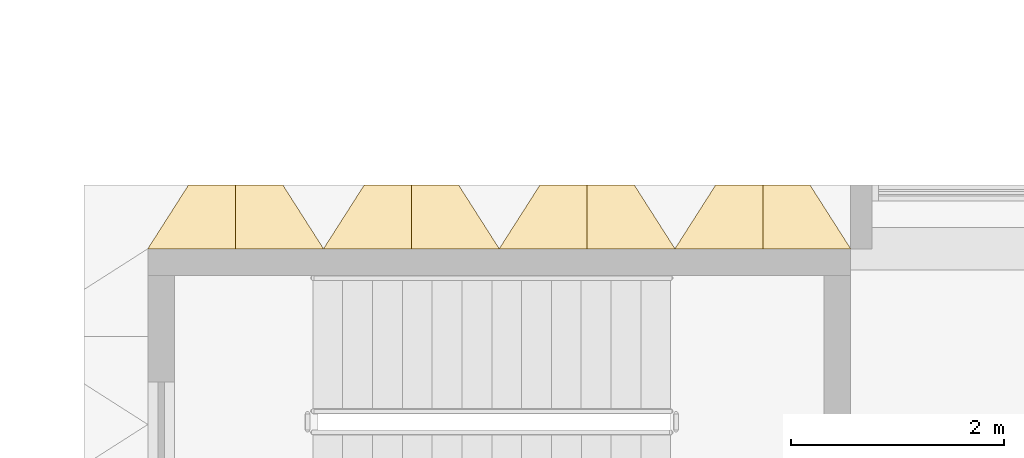
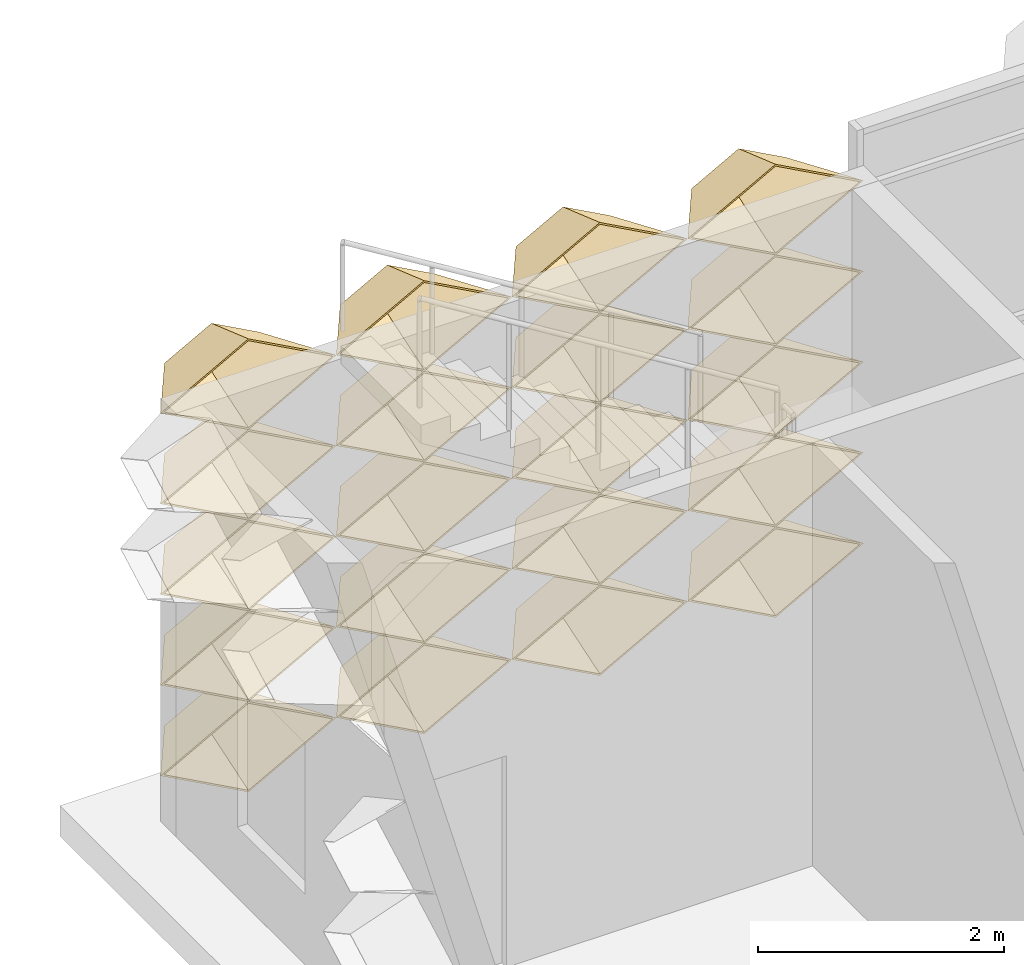
# One storey, part 71 of 109: 20 coverings.
"""IFC4 building model written with IfcOpenShell, lengths in metres."""

from ifc_helpers import new_model, entity, si_unit, direction, frame, origin, place, context, subcontext, project, spatial, material, layer, layer_set, type_object, element, save


model = new_model("IFC4")

# Units and contexts
model_context = context("Model", 3, precision=1e-05, world=origin(), true_north=direction((0.0, 1.0)))
body_context = subcontext(model_context, "Body", "Model", "MODEL_VIEW")
ifc_project = project(units=[si_unit("LENGTHUNIT", "METRE"), si_unit("AREAUNIT", "SQUARE_METRE"), si_unit("VOLUMEUNIT", "CUBIC_METRE"), si_unit("PLANEANGLEUNIT", "RADIAN"), si_unit("MASSUNIT", "GRAM", prefix="KILO")], contexts=[model_context])

# Site, building, storey
site_placement = place(None, origin())
site = spatial("IfcSite", under=ifc_project, at=site_placement, CompositionType="ELEMENT")
building_placement = place(site_placement, origin())
building = spatial("IfcBuilding", under=site, at=building_placement, Name="Lantern Court Research Institute", CompositionType="ELEMENT")
storey_placement = place(building_placement, frame((0.0, 0.0, 14.39990234375)))
storey = spatial("IfcBuildingStorey", under=building, at=storey_placement, Name="L03", CompositionType="ELEMENT", Elevation=14.39990234375)

# Coverings
ifc_material = material(Name="Anodised aluminium", Category="aluminium")
ifc_layer = layer(ifc_material, 0.01611328125)
ifc_layer_set = layer_set([ifc_layer], Name="Anodised aluminium")
covering_type = type_object("IfcCoveringType", Name="Fin cassette 1650 x 900 x 600 aluminium", PredefinedType="CLADDING", material=ifc_layer_set)
covering_1_placement = place(storey_placement, frame((0.824951171875, 23.10009765625, 0.4501953125), z_axis=(0.0, 1.0, 0.0), x_axis=(-1.0, 0.0, 0.0)))
cartesian_point_1 = entity("IfcCartesianPoint", [0.824951171875, 0.0])
cartesian_point_2 = entity("IfcCartesianPoint", [0.79150390625, 0.0])
cartesian_point_3 = entity("IfcCartesianPoint", [0.44189453125, 0.0])
cartesian_point_4 = entity("IfcCartesianPoint", [0.43359375, 0.0])
element("IfcCovering", 1, at=covering_1_placement, inside=storey, type_object=covering_type, Name="Fin cassette V4N-L03 1.1", PredefinedType="CLADDING", context=body_context, shape_type="SweptSolid", body=[
    entity("IfcExtrudedAreaSolidTapered", entity("IfcArbitraryProfileDefWithVoids", "AREA", None, entity("IfcPolyline", [cartesian_point_1, entity("IfcCartesianPoint", [0.0, 0.449951171875]), entity("IfcCartesianPoint", [-0.824951171875, 0.0]), entity("IfcCartesianPoint", [0.0, -0.449951171875]), cartesian_point_1]), [entity("IfcPolyline", [cartesian_point_2, entity("IfcCartesianPoint", [0.0, 0.431884765625]), entity("IfcCartesianPoint", [-0.79150390625, 0.0]), entity("IfcCartesianPoint", [0.0, -0.431884765625]), cartesian_point_2])]), entity("IfcAxis2Placement3D", entity("IfcCartesianPoint", [0.0, 0.0, 0.0])), entity("IfcDirection", [0.0, 0.0, 1.0]), 0.60009765625, entity("IfcArbitraryProfileDefWithVoids", "AREA", None, entity("IfcPolyline", [cartesian_point_3, entity("IfcCartesianPoint", [0.0, 0.240966796875]), entity("IfcCartesianPoint", [-0.44189453125, 0.0]), entity("IfcCartesianPoint", [0.0, -0.240966796875]), cartesian_point_3]), [entity("IfcPolyline", [cartesian_point_4, entity("IfcCartesianPoint", [0.0, 0.236572265625]), entity("IfcCartesianPoint", [-0.43359375, 0.0]), entity("IfcCartesianPoint", [0.0, -0.236572265625]), cartesian_point_4])])),
])
covering_2_placement = place(storey_placement, frame((2.47509765625, 23.10009765625, 0.4501953125), z_axis=(0.0, 1.0, 0.0), x_axis=(-1.0, 0.0, 0.0)))
cartesian_point_5 = entity("IfcCartesianPoint", [0.824951171875, 0.0])
cartesian_point_6 = entity("IfcCartesianPoint", [0.79150390625, 0.0])
cartesian_point_7 = entity("IfcCartesianPoint", [0.44189453125, 0.0])
cartesian_point_8 = entity("IfcCartesianPoint", [0.43359375, 0.0])
element("IfcCovering", 2, at=covering_2_placement, inside=storey, type_object=covering_type, Name="Fin cassette V4N-L03 1.2", PredefinedType="CLADDING", context=body_context, shape_type="SweptSolid", body=[
    entity("IfcExtrudedAreaSolidTapered", entity("IfcArbitraryProfileDefWithVoids", "AREA", None, entity("IfcPolyline", [cartesian_point_5, entity("IfcCartesianPoint", [0.0, 0.449951171875]), entity("IfcCartesianPoint", [-0.824951171875, 0.0]), entity("IfcCartesianPoint", [0.0, -0.449951171875]), cartesian_point_5]), [entity("IfcPolyline", [cartesian_point_6, entity("IfcCartesianPoint", [0.0, 0.431884765625]), entity("IfcCartesianPoint", [-0.79150390625, 0.0]), entity("IfcCartesianPoint", [0.0, -0.431884765625]), cartesian_point_6])]), entity("IfcAxis2Placement3D", entity("IfcCartesianPoint", [0.0, 0.0, 0.0])), entity("IfcDirection", [0.0, 0.0, 1.0]), 0.60009765625, entity("IfcArbitraryProfileDefWithVoids", "AREA", None, entity("IfcPolyline", [cartesian_point_7, entity("IfcCartesianPoint", [0.0, 0.240966796875]), entity("IfcCartesianPoint", [-0.44189453125, 0.0]), entity("IfcCartesianPoint", [0.0, -0.240966796875]), cartesian_point_7]), [entity("IfcPolyline", [cartesian_point_8, entity("IfcCartesianPoint", [0.0, 0.236572265625]), entity("IfcCartesianPoint", [-0.43359375, 0.0]), entity("IfcCartesianPoint", [0.0, -0.236572265625]), cartesian_point_8])])),
])
covering_3_placement = place(storey_placement, frame((4.125, 23.10009765625, 0.4501953125), z_axis=(0.0, 1.0, 0.0), x_axis=(-1.0, 0.0, 0.0)))
cartesian_point_9 = entity("IfcCartesianPoint", [0.824951171875, 0.0])
cartesian_point_10 = entity("IfcCartesianPoint", [0.79150390625, 0.0])
cartesian_point_11 = entity("IfcCartesianPoint", [0.44189453125, 0.0])
cartesian_point_12 = entity("IfcCartesianPoint", [0.43359375, 0.0])
element("IfcCovering", 3, at=covering_3_placement, inside=storey, type_object=covering_type, Name="Fin cassette V4N-L03 1.3", PredefinedType="CLADDING", context=body_context, shape_type="SweptSolid", body=[
    entity("IfcExtrudedAreaSolidTapered", entity("IfcArbitraryProfileDefWithVoids", "AREA", None, entity("IfcPolyline", [cartesian_point_9, entity("IfcCartesianPoint", [0.0, 0.449951171875]), entity("IfcCartesianPoint", [-0.824951171875, 0.0]), entity("IfcCartesianPoint", [0.0, -0.449951171875]), cartesian_point_9]), [entity("IfcPolyline", [cartesian_point_10, entity("IfcCartesianPoint", [0.0, 0.431884765625]), entity("IfcCartesianPoint", [-0.79150390625, 0.0]), entity("IfcCartesianPoint", [0.0, -0.431884765625]), cartesian_point_10])]), entity("IfcAxis2Placement3D", entity("IfcCartesianPoint", [0.0, 0.0, 0.0])), entity("IfcDirection", [0.0, 0.0, 1.0]), 0.60009765625, entity("IfcArbitraryProfileDefWithVoids", "AREA", None, entity("IfcPolyline", [cartesian_point_11, entity("IfcCartesianPoint", [0.0, 0.240966796875]), entity("IfcCartesianPoint", [-0.44189453125, 0.0]), entity("IfcCartesianPoint", [0.0, -0.240966796875]), cartesian_point_11]), [entity("IfcPolyline", [cartesian_point_12, entity("IfcCartesianPoint", [0.0, 0.236572265625]), entity("IfcCartesianPoint", [-0.43359375, 0.0]), entity("IfcCartesianPoint", [0.0, -0.236572265625]), cartesian_point_12])])),
])
covering_4_placement = place(storey_placement, frame((5.77490234375, 23.10009765625, 0.4501953125), z_axis=(0.0, 1.0, 0.0), x_axis=(-1.0, 0.0, 0.0)))
cartesian_point_13 = entity("IfcCartesianPoint", [0.824951171875, 0.0])
cartesian_point_14 = entity("IfcCartesianPoint", [0.79150390625, 0.0])
cartesian_point_15 = entity("IfcCartesianPoint", [0.44189453125, 0.0])
cartesian_point_16 = entity("IfcCartesianPoint", [0.43359375, 0.0])
element("IfcCovering", 4, at=covering_4_placement, inside=storey, type_object=covering_type, Name="Fin cassette V4N-L03 1.4", PredefinedType="CLADDING", context=body_context, shape_type="SweptSolid", body=[
    entity("IfcExtrudedAreaSolidTapered", entity("IfcArbitraryProfileDefWithVoids", "AREA", None, entity("IfcPolyline", [cartesian_point_13, entity("IfcCartesianPoint", [0.0, 0.449951171875]), entity("IfcCartesianPoint", [-0.824951171875, 0.0]), entity("IfcCartesianPoint", [0.0, -0.449951171875]), cartesian_point_13]), [entity("IfcPolyline", [cartesian_point_14, entity("IfcCartesianPoint", [0.0, 0.431884765625]), entity("IfcCartesianPoint", [-0.79150390625, 0.0]), entity("IfcCartesianPoint", [0.0, -0.431884765625]), cartesian_point_14])]), entity("IfcAxis2Placement3D", entity("IfcCartesianPoint", [0.0, 0.0, 0.0])), entity("IfcDirection", [0.0, 0.0, 1.0]), 0.60009765625, entity("IfcArbitraryProfileDefWithVoids", "AREA", None, entity("IfcPolyline", [cartesian_point_15, entity("IfcCartesianPoint", [0.0, 0.240966796875]), entity("IfcCartesianPoint", [-0.44189453125, 0.0]), entity("IfcCartesianPoint", [0.0, -0.240966796875]), cartesian_point_15]), [entity("IfcPolyline", [cartesian_point_16, entity("IfcCartesianPoint", [0.0, 0.236572265625]), entity("IfcCartesianPoint", [-0.43359375, 0.0]), entity("IfcCartesianPoint", [0.0, -0.236572265625]), cartesian_point_16])])),
])
covering_5_placement = place(storey_placement, frame((0.824951171875, 23.10009765625, 1.35009765625), z_axis=(0.0, 1.0, 0.0), x_axis=(-1.0, 0.0, 0.0)))
cartesian_point_17 = entity("IfcCartesianPoint", [0.824951171875, 0.0])
cartesian_point_18 = entity("IfcCartesianPoint", [0.79150390625, 0.0])
cartesian_point_19 = entity("IfcCartesianPoint", [0.44189453125, 0.0])
cartesian_point_20 = entity("IfcCartesianPoint", [0.43359375, 0.0])
element("IfcCovering", 5, at=covering_5_placement, inside=storey, type_object=covering_type, Name="Fin cassette V4N-L03 2.1", PredefinedType="CLADDING", context=body_context, shape_type="SweptSolid", body=[
    entity("IfcExtrudedAreaSolidTapered", entity("IfcArbitraryProfileDefWithVoids", "AREA", None, entity("IfcPolyline", [cartesian_point_17, entity("IfcCartesianPoint", [0.0, 0.449951171875]), entity("IfcCartesianPoint", [-0.824951171875, 0.0]), entity("IfcCartesianPoint", [0.0, -0.449951171875]), cartesian_point_17]), [entity("IfcPolyline", [cartesian_point_18, entity("IfcCartesianPoint", [0.0, 0.431884765625]), entity("IfcCartesianPoint", [-0.79150390625, 0.0]), entity("IfcCartesianPoint", [0.0, -0.431884765625]), cartesian_point_18])]), entity("IfcAxis2Placement3D", entity("IfcCartesianPoint", [0.0, 0.0, 0.0])), entity("IfcDirection", [0.0, 0.0, 1.0]), 0.60009765625, entity("IfcArbitraryProfileDefWithVoids", "AREA", None, entity("IfcPolyline", [cartesian_point_19, entity("IfcCartesianPoint", [0.0, 0.240966796875]), entity("IfcCartesianPoint", [-0.44189453125, 0.0]), entity("IfcCartesianPoint", [0.0, -0.240966796875]), cartesian_point_19]), [entity("IfcPolyline", [cartesian_point_20, entity("IfcCartesianPoint", [0.0, 0.236572265625]), entity("IfcCartesianPoint", [-0.43359375, 0.0]), entity("IfcCartesianPoint", [0.0, -0.236572265625]), cartesian_point_20])])),
])
covering_6_placement = place(storey_placement, frame((2.47509765625, 23.10009765625, 1.35009765625), z_axis=(0.0, 1.0, 0.0), x_axis=(-1.0, 0.0, 0.0)))
cartesian_point_21 = entity("IfcCartesianPoint", [0.824951171875, 0.0])
cartesian_point_22 = entity("IfcCartesianPoint", [0.79150390625, 0.0])
cartesian_point_23 = entity("IfcCartesianPoint", [0.44189453125, 0.0])
cartesian_point_24 = entity("IfcCartesianPoint", [0.43359375, 0.0])
element("IfcCovering", 6, at=covering_6_placement, inside=storey, type_object=covering_type, Name="Fin cassette V4N-L03 2.2", PredefinedType="CLADDING", context=body_context, shape_type="SweptSolid", body=[
    entity("IfcExtrudedAreaSolidTapered", entity("IfcArbitraryProfileDefWithVoids", "AREA", None, entity("IfcPolyline", [cartesian_point_21, entity("IfcCartesianPoint", [0.0, 0.449951171875]), entity("IfcCartesianPoint", [-0.824951171875, 0.0]), entity("IfcCartesianPoint", [0.0, -0.449951171875]), cartesian_point_21]), [entity("IfcPolyline", [cartesian_point_22, entity("IfcCartesianPoint", [0.0, 0.431884765625]), entity("IfcCartesianPoint", [-0.79150390625, 0.0]), entity("IfcCartesianPoint", [0.0, -0.431884765625]), cartesian_point_22])]), entity("IfcAxis2Placement3D", entity("IfcCartesianPoint", [0.0, 0.0, 0.0])), entity("IfcDirection", [0.0, 0.0, 1.0]), 0.60009765625, entity("IfcArbitraryProfileDefWithVoids", "AREA", None, entity("IfcPolyline", [cartesian_point_23, entity("IfcCartesianPoint", [0.0, 0.240966796875]), entity("IfcCartesianPoint", [-0.44189453125, 0.0]), entity("IfcCartesianPoint", [0.0, -0.240966796875]), cartesian_point_23]), [entity("IfcPolyline", [cartesian_point_24, entity("IfcCartesianPoint", [0.0, 0.236572265625]), entity("IfcCartesianPoint", [-0.43359375, 0.0]), entity("IfcCartesianPoint", [0.0, -0.236572265625]), cartesian_point_24])])),
])
covering_7_placement = place(storey_placement, frame((4.125, 23.10009765625, 1.35009765625), z_axis=(0.0, 1.0, 0.0), x_axis=(-1.0, 0.0, 0.0)))
cartesian_point_25 = entity("IfcCartesianPoint", [0.824951171875, 0.0])
cartesian_point_26 = entity("IfcCartesianPoint", [0.79150390625, 0.0])
cartesian_point_27 = entity("IfcCartesianPoint", [0.44189453125, 0.0])
cartesian_point_28 = entity("IfcCartesianPoint", [0.43359375, 0.0])
element("IfcCovering", 7, at=covering_7_placement, inside=storey, type_object=covering_type, Name="Fin cassette V4N-L03 2.3", PredefinedType="CLADDING", context=body_context, shape_type="SweptSolid", body=[
    entity("IfcExtrudedAreaSolidTapered", entity("IfcArbitraryProfileDefWithVoids", "AREA", None, entity("IfcPolyline", [cartesian_point_25, entity("IfcCartesianPoint", [0.0, 0.449951171875]), entity("IfcCartesianPoint", [-0.824951171875, 0.0]), entity("IfcCartesianPoint", [0.0, -0.449951171875]), cartesian_point_25]), [entity("IfcPolyline", [cartesian_point_26, entity("IfcCartesianPoint", [0.0, 0.431884765625]), entity("IfcCartesianPoint", [-0.79150390625, 0.0]), entity("IfcCartesianPoint", [0.0, -0.431884765625]), cartesian_point_26])]), entity("IfcAxis2Placement3D", entity("IfcCartesianPoint", [0.0, 0.0, 0.0])), entity("IfcDirection", [0.0, 0.0, 1.0]), 0.60009765625, entity("IfcArbitraryProfileDefWithVoids", "AREA", None, entity("IfcPolyline", [cartesian_point_27, entity("IfcCartesianPoint", [0.0, 0.240966796875]), entity("IfcCartesianPoint", [-0.44189453125, 0.0]), entity("IfcCartesianPoint", [0.0, -0.240966796875]), cartesian_point_27]), [entity("IfcPolyline", [cartesian_point_28, entity("IfcCartesianPoint", [0.0, 0.236572265625]), entity("IfcCartesianPoint", [-0.43359375, 0.0]), entity("IfcCartesianPoint", [0.0, -0.236572265625]), cartesian_point_28])])),
])
covering_8_placement = place(storey_placement, frame((5.77490234375, 23.10009765625, 1.35009765625), z_axis=(0.0, 1.0, 0.0), x_axis=(-1.0, 0.0, 0.0)))
cartesian_point_29 = entity("IfcCartesianPoint", [0.824951171875, 0.0])
cartesian_point_30 = entity("IfcCartesianPoint", [0.79150390625, 0.0])
cartesian_point_31 = entity("IfcCartesianPoint", [0.44189453125, 0.0])
cartesian_point_32 = entity("IfcCartesianPoint", [0.43359375, 0.0])
element("IfcCovering", 8, at=covering_8_placement, inside=storey, type_object=covering_type, Name="Fin cassette V4N-L03 2.4", PredefinedType="CLADDING", context=body_context, shape_type="SweptSolid", body=[
    entity("IfcExtrudedAreaSolidTapered", entity("IfcArbitraryProfileDefWithVoids", "AREA", None, entity("IfcPolyline", [cartesian_point_29, entity("IfcCartesianPoint", [0.0, 0.449951171875]), entity("IfcCartesianPoint", [-0.824951171875, 0.0]), entity("IfcCartesianPoint", [0.0, -0.449951171875]), cartesian_point_29]), [entity("IfcPolyline", [cartesian_point_30, entity("IfcCartesianPoint", [0.0, 0.431884765625]), entity("IfcCartesianPoint", [-0.79150390625, 0.0]), entity("IfcCartesianPoint", [0.0, -0.431884765625]), cartesian_point_30])]), entity("IfcAxis2Placement3D", entity("IfcCartesianPoint", [0.0, 0.0, 0.0])), entity("IfcDirection", [0.0, 0.0, 1.0]), 0.60009765625, entity("IfcArbitraryProfileDefWithVoids", "AREA", None, entity("IfcPolyline", [cartesian_point_31, entity("IfcCartesianPoint", [0.0, 0.240966796875]), entity("IfcCartesianPoint", [-0.44189453125, 0.0]), entity("IfcCartesianPoint", [0.0, -0.240966796875]), cartesian_point_31]), [entity("IfcPolyline", [cartesian_point_32, entity("IfcCartesianPoint", [0.0, 0.236572265625]), entity("IfcCartesianPoint", [-0.43359375, 0.0]), entity("IfcCartesianPoint", [0.0, -0.236572265625]), cartesian_point_32])])),
])
covering_9_placement = place(storey_placement, frame((0.824951171875, 23.10009765625, 2.25), z_axis=(0.0, 1.0, 0.0), x_axis=(-1.0, 0.0, 0.0)))
cartesian_point_33 = entity("IfcCartesianPoint", [0.824951171875, 0.0])
cartesian_point_34 = entity("IfcCartesianPoint", [0.79150390625, 0.0])
cartesian_point_35 = entity("IfcCartesianPoint", [0.44189453125, 0.0])
cartesian_point_36 = entity("IfcCartesianPoint", [0.43359375, 0.0])
element("IfcCovering", 9, at=covering_9_placement, inside=storey, type_object=covering_type, Name="Fin cassette V4N-L03 3.1", PredefinedType="CLADDING", context=body_context, shape_type="SweptSolid", body=[
    entity("IfcExtrudedAreaSolidTapered", entity("IfcArbitraryProfileDefWithVoids", "AREA", None, entity("IfcPolyline", [cartesian_point_33, entity("IfcCartesianPoint", [0.0, 0.449951171875]), entity("IfcCartesianPoint", [-0.824951171875, 0.0]), entity("IfcCartesianPoint", [0.0, -0.449951171875]), cartesian_point_33]), [entity("IfcPolyline", [cartesian_point_34, entity("IfcCartesianPoint", [0.0, 0.431884765625]), entity("IfcCartesianPoint", [-0.79150390625, 0.0]), entity("IfcCartesianPoint", [0.0, -0.431884765625]), cartesian_point_34])]), entity("IfcAxis2Placement3D", entity("IfcCartesianPoint", [0.0, 0.0, 0.0])), entity("IfcDirection", [0.0, 0.0, 1.0]), 0.60009765625, entity("IfcArbitraryProfileDefWithVoids", "AREA", None, entity("IfcPolyline", [cartesian_point_35, entity("IfcCartesianPoint", [0.0, 0.240966796875]), entity("IfcCartesianPoint", [-0.44189453125, 0.0]), entity("IfcCartesianPoint", [0.0, -0.240966796875]), cartesian_point_35]), [entity("IfcPolyline", [cartesian_point_36, entity("IfcCartesianPoint", [0.0, 0.236572265625]), entity("IfcCartesianPoint", [-0.43359375, 0.0]), entity("IfcCartesianPoint", [0.0, -0.236572265625]), cartesian_point_36])])),
])
covering_10_placement = place(storey_placement, frame((2.47509765625, 23.10009765625, 2.25), z_axis=(0.0, 1.0, 0.0), x_axis=(-1.0, 0.0, 0.0)))
cartesian_point_37 = entity("IfcCartesianPoint", [0.824951171875, 0.0])
cartesian_point_38 = entity("IfcCartesianPoint", [0.79150390625, 0.0])
cartesian_point_39 = entity("IfcCartesianPoint", [0.44189453125, 0.0])
cartesian_point_40 = entity("IfcCartesianPoint", [0.43359375, 0.0])
element("IfcCovering", 10, at=covering_10_placement, inside=storey, type_object=covering_type, Name="Fin cassette V4N-L03 3.2", PredefinedType="CLADDING", context=body_context, shape_type="SweptSolid", body=[
    entity("IfcExtrudedAreaSolidTapered", entity("IfcArbitraryProfileDefWithVoids", "AREA", None, entity("IfcPolyline", [cartesian_point_37, entity("IfcCartesianPoint", [0.0, 0.449951171875]), entity("IfcCartesianPoint", [-0.824951171875, 0.0]), entity("IfcCartesianPoint", [0.0, -0.449951171875]), cartesian_point_37]), [entity("IfcPolyline", [cartesian_point_38, entity("IfcCartesianPoint", [0.0, 0.431884765625]), entity("IfcCartesianPoint", [-0.79150390625, 0.0]), entity("IfcCartesianPoint", [0.0, -0.431884765625]), cartesian_point_38])]), entity("IfcAxis2Placement3D", entity("IfcCartesianPoint", [0.0, 0.0, 0.0])), entity("IfcDirection", [0.0, 0.0, 1.0]), 0.60009765625, entity("IfcArbitraryProfileDefWithVoids", "AREA", None, entity("IfcPolyline", [cartesian_point_39, entity("IfcCartesianPoint", [0.0, 0.240966796875]), entity("IfcCartesianPoint", [-0.44189453125, 0.0]), entity("IfcCartesianPoint", [0.0, -0.240966796875]), cartesian_point_39]), [entity("IfcPolyline", [cartesian_point_40, entity("IfcCartesianPoint", [0.0, 0.236572265625]), entity("IfcCartesianPoint", [-0.43359375, 0.0]), entity("IfcCartesianPoint", [0.0, -0.236572265625]), cartesian_point_40])])),
])
covering_11_placement = place(storey_placement, frame((4.125, 23.10009765625, 2.25), z_axis=(0.0, 1.0, 0.0), x_axis=(-1.0, 0.0, 0.0)))
cartesian_point_41 = entity("IfcCartesianPoint", [0.824951171875, 0.0])
cartesian_point_42 = entity("IfcCartesianPoint", [0.79150390625, 0.0])
cartesian_point_43 = entity("IfcCartesianPoint", [0.44189453125, 0.0])
cartesian_point_44 = entity("IfcCartesianPoint", [0.43359375, 0.0])
element("IfcCovering", 11, at=covering_11_placement, inside=storey, type_object=covering_type, Name="Fin cassette V4N-L03 3.3", PredefinedType="CLADDING", context=body_context, shape_type="SweptSolid", body=[
    entity("IfcExtrudedAreaSolidTapered", entity("IfcArbitraryProfileDefWithVoids", "AREA", None, entity("IfcPolyline", [cartesian_point_41, entity("IfcCartesianPoint", [0.0, 0.449951171875]), entity("IfcCartesianPoint", [-0.824951171875, 0.0]), entity("IfcCartesianPoint", [0.0, -0.449951171875]), cartesian_point_41]), [entity("IfcPolyline", [cartesian_point_42, entity("IfcCartesianPoint", [0.0, 0.431884765625]), entity("IfcCartesianPoint", [-0.79150390625, 0.0]), entity("IfcCartesianPoint", [0.0, -0.431884765625]), cartesian_point_42])]), entity("IfcAxis2Placement3D", entity("IfcCartesianPoint", [0.0, 0.0, 0.0])), entity("IfcDirection", [0.0, 0.0, 1.0]), 0.60009765625, entity("IfcArbitraryProfileDefWithVoids", "AREA", None, entity("IfcPolyline", [cartesian_point_43, entity("IfcCartesianPoint", [0.0, 0.240966796875]), entity("IfcCartesianPoint", [-0.44189453125, 0.0]), entity("IfcCartesianPoint", [0.0, -0.240966796875]), cartesian_point_43]), [entity("IfcPolyline", [cartesian_point_44, entity("IfcCartesianPoint", [0.0, 0.236572265625]), entity("IfcCartesianPoint", [-0.43359375, 0.0]), entity("IfcCartesianPoint", [0.0, -0.236572265625]), cartesian_point_44])])),
])
covering_12_placement = place(storey_placement, frame((5.77490234375, 23.10009765625, 2.25), z_axis=(0.0, 1.0, 0.0), x_axis=(-1.0, 0.0, 0.0)))
cartesian_point_45 = entity("IfcCartesianPoint", [0.824951171875, 0.0])
cartesian_point_46 = entity("IfcCartesianPoint", [0.79150390625, 0.0])
cartesian_point_47 = entity("IfcCartesianPoint", [0.44189453125, 0.0])
cartesian_point_48 = entity("IfcCartesianPoint", [0.43359375, 0.0])
element("IfcCovering", 12, at=covering_12_placement, inside=storey, type_object=covering_type, Name="Fin cassette V4N-L03 3.4", PredefinedType="CLADDING", context=body_context, shape_type="SweptSolid", body=[
    entity("IfcExtrudedAreaSolidTapered", entity("IfcArbitraryProfileDefWithVoids", "AREA", None, entity("IfcPolyline", [cartesian_point_45, entity("IfcCartesianPoint", [0.0, 0.449951171875]), entity("IfcCartesianPoint", [-0.824951171875, 0.0]), entity("IfcCartesianPoint", [0.0, -0.449951171875]), cartesian_point_45]), [entity("IfcPolyline", [cartesian_point_46, entity("IfcCartesianPoint", [0.0, 0.431884765625]), entity("IfcCartesianPoint", [-0.79150390625, 0.0]), entity("IfcCartesianPoint", [0.0, -0.431884765625]), cartesian_point_46])]), entity("IfcAxis2Placement3D", entity("IfcCartesianPoint", [0.0, 0.0, 0.0])), entity("IfcDirection", [0.0, 0.0, 1.0]), 0.60009765625, entity("IfcArbitraryProfileDefWithVoids", "AREA", None, entity("IfcPolyline", [cartesian_point_47, entity("IfcCartesianPoint", [0.0, 0.240966796875]), entity("IfcCartesianPoint", [-0.44189453125, 0.0]), entity("IfcCartesianPoint", [0.0, -0.240966796875]), cartesian_point_47]), [entity("IfcPolyline", [cartesian_point_48, entity("IfcCartesianPoint", [0.0, 0.236572265625]), entity("IfcCartesianPoint", [-0.43359375, 0.0]), entity("IfcCartesianPoint", [0.0, -0.236572265625]), cartesian_point_48])])),
])
covering_13_placement = place(storey_placement, frame((0.824951171875, 23.10009765625, 3.150146484375), z_axis=(0.0, 1.0, 0.0), x_axis=(-1.0, 0.0, 0.0)))
cartesian_point_49 = entity("IfcCartesianPoint", [0.824951171875, 0.0])
cartesian_point_50 = entity("IfcCartesianPoint", [0.79150390625, 0.0])
cartesian_point_51 = entity("IfcCartesianPoint", [0.44189453125, 0.0])
cartesian_point_52 = entity("IfcCartesianPoint", [0.43359375, 0.0])
element("IfcCovering", 13, at=covering_13_placement, inside=storey, type_object=covering_type, Name="Fin cassette V4N-L03 4.1", PredefinedType="CLADDING", context=body_context, shape_type="SweptSolid", body=[
    entity("IfcExtrudedAreaSolidTapered", entity("IfcArbitraryProfileDefWithVoids", "AREA", None, entity("IfcPolyline", [cartesian_point_49, entity("IfcCartesianPoint", [0.0, 0.449951171875]), entity("IfcCartesianPoint", [-0.824951171875, 0.0]), entity("IfcCartesianPoint", [0.0, -0.449951171875]), cartesian_point_49]), [entity("IfcPolyline", [cartesian_point_50, entity("IfcCartesianPoint", [0.0, 0.431884765625]), entity("IfcCartesianPoint", [-0.79150390625, 0.0]), entity("IfcCartesianPoint", [0.0, -0.431884765625]), cartesian_point_50])]), entity("IfcAxis2Placement3D", entity("IfcCartesianPoint", [0.0, 0.0, 0.0])), entity("IfcDirection", [0.0, 0.0, 1.0]), 0.60009765625, entity("IfcArbitraryProfileDefWithVoids", "AREA", None, entity("IfcPolyline", [cartesian_point_51, entity("IfcCartesianPoint", [0.0, 0.240966796875]), entity("IfcCartesianPoint", [-0.44189453125, 0.0]), entity("IfcCartesianPoint", [0.0, -0.240966796875]), cartesian_point_51]), [entity("IfcPolyline", [cartesian_point_52, entity("IfcCartesianPoint", [0.0, 0.236572265625]), entity("IfcCartesianPoint", [-0.43359375, 0.0]), entity("IfcCartesianPoint", [0.0, -0.236572265625]), cartesian_point_52])])),
])
covering_14_placement = place(storey_placement, frame((2.47509765625, 23.10009765625, 3.150146484375), z_axis=(0.0, 1.0, 0.0), x_axis=(-1.0, 0.0, 0.0)))
cartesian_point_53 = entity("IfcCartesianPoint", [0.824951171875, 0.0])
cartesian_point_54 = entity("IfcCartesianPoint", [0.79150390625, 0.0])
cartesian_point_55 = entity("IfcCartesianPoint", [0.44189453125, 0.0])
cartesian_point_56 = entity("IfcCartesianPoint", [0.43359375, 0.0])
element("IfcCovering", 14, at=covering_14_placement, inside=storey, type_object=covering_type, Name="Fin cassette V4N-L03 4.2", PredefinedType="CLADDING", context=body_context, shape_type="SweptSolid", body=[
    entity("IfcExtrudedAreaSolidTapered", entity("IfcArbitraryProfileDefWithVoids", "AREA", None, entity("IfcPolyline", [cartesian_point_53, entity("IfcCartesianPoint", [0.0, 0.449951171875]), entity("IfcCartesianPoint", [-0.824951171875, 0.0]), entity("IfcCartesianPoint", [0.0, -0.449951171875]), cartesian_point_53]), [entity("IfcPolyline", [cartesian_point_54, entity("IfcCartesianPoint", [0.0, 0.431884765625]), entity("IfcCartesianPoint", [-0.79150390625, 0.0]), entity("IfcCartesianPoint", [0.0, -0.431884765625]), cartesian_point_54])]), entity("IfcAxis2Placement3D", entity("IfcCartesianPoint", [0.0, 0.0, 0.0])), entity("IfcDirection", [0.0, 0.0, 1.0]), 0.60009765625, entity("IfcArbitraryProfileDefWithVoids", "AREA", None, entity("IfcPolyline", [cartesian_point_55, entity("IfcCartesianPoint", [0.0, 0.240966796875]), entity("IfcCartesianPoint", [-0.44189453125, 0.0]), entity("IfcCartesianPoint", [0.0, -0.240966796875]), cartesian_point_55]), [entity("IfcPolyline", [cartesian_point_56, entity("IfcCartesianPoint", [0.0, 0.236572265625]), entity("IfcCartesianPoint", [-0.43359375, 0.0]), entity("IfcCartesianPoint", [0.0, -0.236572265625]), cartesian_point_56])])),
])
covering_15_placement = place(storey_placement, frame((4.125, 23.10009765625, 3.150146484375), z_axis=(0.0, 1.0, 0.0), x_axis=(-1.0, 0.0, 0.0)))
cartesian_point_57 = entity("IfcCartesianPoint", [0.824951171875, 0.0])
cartesian_point_58 = entity("IfcCartesianPoint", [0.79150390625, 0.0])
cartesian_point_59 = entity("IfcCartesianPoint", [0.44189453125, 0.0])
cartesian_point_60 = entity("IfcCartesianPoint", [0.43359375, 0.0])
element("IfcCovering", 15, at=covering_15_placement, inside=storey, type_object=covering_type, Name="Fin cassette V4N-L03 4.3", PredefinedType="CLADDING", context=body_context, shape_type="SweptSolid", body=[
    entity("IfcExtrudedAreaSolidTapered", entity("IfcArbitraryProfileDefWithVoids", "AREA", None, entity("IfcPolyline", [cartesian_point_57, entity("IfcCartesianPoint", [0.0, 0.449951171875]), entity("IfcCartesianPoint", [-0.824951171875, 0.0]), entity("IfcCartesianPoint", [0.0, -0.449951171875]), cartesian_point_57]), [entity("IfcPolyline", [cartesian_point_58, entity("IfcCartesianPoint", [0.0, 0.431884765625]), entity("IfcCartesianPoint", [-0.79150390625, 0.0]), entity("IfcCartesianPoint", [0.0, -0.431884765625]), cartesian_point_58])]), entity("IfcAxis2Placement3D", entity("IfcCartesianPoint", [0.0, 0.0, 0.0])), entity("IfcDirection", [0.0, 0.0, 1.0]), 0.60009765625, entity("IfcArbitraryProfileDefWithVoids", "AREA", None, entity("IfcPolyline", [cartesian_point_59, entity("IfcCartesianPoint", [0.0, 0.240966796875]), entity("IfcCartesianPoint", [-0.44189453125, 0.0]), entity("IfcCartesianPoint", [0.0, -0.240966796875]), cartesian_point_59]), [entity("IfcPolyline", [cartesian_point_60, entity("IfcCartesianPoint", [0.0, 0.236572265625]), entity("IfcCartesianPoint", [-0.43359375, 0.0]), entity("IfcCartesianPoint", [0.0, -0.236572265625]), cartesian_point_60])])),
])
covering_16_placement = place(storey_placement, frame((5.77490234375, 23.10009765625, 3.150146484375), z_axis=(0.0, 1.0, 0.0), x_axis=(-1.0, 0.0, 0.0)))
cartesian_point_61 = entity("IfcCartesianPoint", [0.824951171875, 0.0])
cartesian_point_62 = entity("IfcCartesianPoint", [0.79150390625, 0.0])
cartesian_point_63 = entity("IfcCartesianPoint", [0.44189453125, 0.0])
cartesian_point_64 = entity("IfcCartesianPoint", [0.43359375, 0.0])
element("IfcCovering", 16, at=covering_16_placement, inside=storey, type_object=covering_type, Name="Fin cassette V4N-L03 4.4", PredefinedType="CLADDING", context=body_context, shape_type="SweptSolid", body=[
    entity("IfcExtrudedAreaSolidTapered", entity("IfcArbitraryProfileDefWithVoids", "AREA", None, entity("IfcPolyline", [cartesian_point_61, entity("IfcCartesianPoint", [0.0, 0.449951171875]), entity("IfcCartesianPoint", [-0.824951171875, 0.0]), entity("IfcCartesianPoint", [0.0, -0.449951171875]), cartesian_point_61]), [entity("IfcPolyline", [cartesian_point_62, entity("IfcCartesianPoint", [0.0, 0.431884765625]), entity("IfcCartesianPoint", [-0.79150390625, 0.0]), entity("IfcCartesianPoint", [0.0, -0.431884765625]), cartesian_point_62])]), entity("IfcAxis2Placement3D", entity("IfcCartesianPoint", [0.0, 0.0, 0.0])), entity("IfcDirection", [0.0, 0.0, 1.0]), 0.60009765625, entity("IfcArbitraryProfileDefWithVoids", "AREA", None, entity("IfcPolyline", [cartesian_point_63, entity("IfcCartesianPoint", [0.0, 0.240966796875]), entity("IfcCartesianPoint", [-0.44189453125, 0.0]), entity("IfcCartesianPoint", [0.0, -0.240966796875]), cartesian_point_63]), [entity("IfcPolyline", [cartesian_point_64, entity("IfcCartesianPoint", [0.0, 0.236572265625]), entity("IfcCartesianPoint", [-0.43359375, 0.0]), entity("IfcCartesianPoint", [0.0, -0.236572265625]), cartesian_point_64])])),
])
covering_17_placement = place(storey_placement, frame((0.824951171875, 23.10009765625, 4.050048828125), z_axis=(0.0, 1.0, 0.0), x_axis=(-1.0, 0.0, 0.0)))
cartesian_point_65 = entity("IfcCartesianPoint", [0.824951171875, 0.0])
cartesian_point_66 = entity("IfcCartesianPoint", [0.79150390625, 0.0])
cartesian_point_67 = entity("IfcCartesianPoint", [0.44189453125, 0.0])
cartesian_point_68 = entity("IfcCartesianPoint", [0.43359375, 0.0])
element("IfcCovering", 17, at=covering_17_placement, inside=storey, type_object=covering_type, Name="Fin cassette V4N-L03 5.1", PredefinedType="CLADDING", context=body_context, shape_type="SweptSolid", body=[
    entity("IfcExtrudedAreaSolidTapered", entity("IfcArbitraryProfileDefWithVoids", "AREA", None, entity("IfcPolyline", [cartesian_point_65, entity("IfcCartesianPoint", [0.0, 0.449951171875]), entity("IfcCartesianPoint", [-0.824951171875, 0.0]), entity("IfcCartesianPoint", [0.0, -0.449951171875]), cartesian_point_65]), [entity("IfcPolyline", [cartesian_point_66, entity("IfcCartesianPoint", [0.0, 0.431884765625]), entity("IfcCartesianPoint", [-0.79150390625, 0.0]), entity("IfcCartesianPoint", [0.0, -0.431884765625]), cartesian_point_66])]), entity("IfcAxis2Placement3D", entity("IfcCartesianPoint", [0.0, 0.0, 0.0])), entity("IfcDirection", [0.0, 0.0, 1.0]), 0.60009765625, entity("IfcArbitraryProfileDefWithVoids", "AREA", None, entity("IfcPolyline", [cartesian_point_67, entity("IfcCartesianPoint", [0.0, 0.240966796875]), entity("IfcCartesianPoint", [-0.44189453125, 0.0]), entity("IfcCartesianPoint", [0.0, -0.240966796875]), cartesian_point_67]), [entity("IfcPolyline", [cartesian_point_68, entity("IfcCartesianPoint", [0.0, 0.236572265625]), entity("IfcCartesianPoint", [-0.43359375, 0.0]), entity("IfcCartesianPoint", [0.0, -0.236572265625]), cartesian_point_68])])),
])
covering_18_placement = place(storey_placement, frame((2.47509765625, 23.10009765625, 4.050048828125), z_axis=(0.0, 1.0, 0.0), x_axis=(-1.0, 0.0, 0.0)))
cartesian_point_69 = entity("IfcCartesianPoint", [0.824951171875, 0.0])
cartesian_point_70 = entity("IfcCartesianPoint", [0.79150390625, 0.0])
cartesian_point_71 = entity("IfcCartesianPoint", [0.44189453125, 0.0])
cartesian_point_72 = entity("IfcCartesianPoint", [0.43359375, 0.0])
element("IfcCovering", 18, at=covering_18_placement, inside=storey, type_object=covering_type, Name="Fin cassette V4N-L03 5.2", PredefinedType="CLADDING", context=body_context, shape_type="SweptSolid", body=[
    entity("IfcExtrudedAreaSolidTapered", entity("IfcArbitraryProfileDefWithVoids", "AREA", None, entity("IfcPolyline", [cartesian_point_69, entity("IfcCartesianPoint", [0.0, 0.449951171875]), entity("IfcCartesianPoint", [-0.824951171875, 0.0]), entity("IfcCartesianPoint", [0.0, -0.449951171875]), cartesian_point_69]), [entity("IfcPolyline", [cartesian_point_70, entity("IfcCartesianPoint", [0.0, 0.431884765625]), entity("IfcCartesianPoint", [-0.79150390625, 0.0]), entity("IfcCartesianPoint", [0.0, -0.431884765625]), cartesian_point_70])]), entity("IfcAxis2Placement3D", entity("IfcCartesianPoint", [0.0, 0.0, 0.0])), entity("IfcDirection", [0.0, 0.0, 1.0]), 0.60009765625, entity("IfcArbitraryProfileDefWithVoids", "AREA", None, entity("IfcPolyline", [cartesian_point_71, entity("IfcCartesianPoint", [0.0, 0.240966796875]), entity("IfcCartesianPoint", [-0.44189453125, 0.0]), entity("IfcCartesianPoint", [0.0, -0.240966796875]), cartesian_point_71]), [entity("IfcPolyline", [cartesian_point_72, entity("IfcCartesianPoint", [0.0, 0.236572265625]), entity("IfcCartesianPoint", [-0.43359375, 0.0]), entity("IfcCartesianPoint", [0.0, -0.236572265625]), cartesian_point_72])])),
])
covering_19_placement = place(storey_placement, frame((4.125, 23.10009765625, 4.050048828125), z_axis=(0.0, 1.0, 0.0), x_axis=(-1.0, 0.0, 0.0)))
cartesian_point_73 = entity("IfcCartesianPoint", [0.824951171875, 0.0])
cartesian_point_74 = entity("IfcCartesianPoint", [0.79150390625, 0.0])
cartesian_point_75 = entity("IfcCartesianPoint", [0.44189453125, 0.0])
cartesian_point_76 = entity("IfcCartesianPoint", [0.43359375, 0.0])
element("IfcCovering", 19, at=covering_19_placement, inside=storey, type_object=covering_type, Name="Fin cassette V4N-L03 5.3", PredefinedType="CLADDING", context=body_context, shape_type="SweptSolid", body=[
    entity("IfcExtrudedAreaSolidTapered", entity("IfcArbitraryProfileDefWithVoids", "AREA", None, entity("IfcPolyline", [cartesian_point_73, entity("IfcCartesianPoint", [0.0, 0.449951171875]), entity("IfcCartesianPoint", [-0.824951171875, 0.0]), entity("IfcCartesianPoint", [0.0, -0.449951171875]), cartesian_point_73]), [entity("IfcPolyline", [cartesian_point_74, entity("IfcCartesianPoint", [0.0, 0.431884765625]), entity("IfcCartesianPoint", [-0.79150390625, 0.0]), entity("IfcCartesianPoint", [0.0, -0.431884765625]), cartesian_point_74])]), entity("IfcAxis2Placement3D", entity("IfcCartesianPoint", [0.0, 0.0, 0.0])), entity("IfcDirection", [0.0, 0.0, 1.0]), 0.60009765625, entity("IfcArbitraryProfileDefWithVoids", "AREA", None, entity("IfcPolyline", [cartesian_point_75, entity("IfcCartesianPoint", [0.0, 0.240966796875]), entity("IfcCartesianPoint", [-0.44189453125, 0.0]), entity("IfcCartesianPoint", [0.0, -0.240966796875]), cartesian_point_75]), [entity("IfcPolyline", [cartesian_point_76, entity("IfcCartesianPoint", [0.0, 0.236572265625]), entity("IfcCartesianPoint", [-0.43359375, 0.0]), entity("IfcCartesianPoint", [0.0, -0.236572265625]), cartesian_point_76])])),
])
covering_20_placement = place(storey_placement, frame((5.77490234375, 23.10009765625, 4.050048828125), z_axis=(0.0, 1.0, 0.0), x_axis=(-1.0, 0.0, 0.0)))
cartesian_point_77 = entity("IfcCartesianPoint", [0.824951171875, 0.0])
cartesian_point_78 = entity("IfcCartesianPoint", [0.79150390625, 0.0])
cartesian_point_79 = entity("IfcCartesianPoint", [0.44189453125, 0.0])
cartesian_point_80 = entity("IfcCartesianPoint", [0.43359375, 0.0])
element("IfcCovering", 20, at=covering_20_placement, inside=storey, type_object=covering_type, Name="Fin cassette V4N-L03 5.4", PredefinedType="CLADDING", context=body_context, shape_type="SweptSolid", body=[
    entity("IfcExtrudedAreaSolidTapered", entity("IfcArbitraryProfileDefWithVoids", "AREA", None, entity("IfcPolyline", [cartesian_point_77, entity("IfcCartesianPoint", [0.0, 0.449951171875]), entity("IfcCartesianPoint", [-0.824951171875, 0.0]), entity("IfcCartesianPoint", [0.0, -0.449951171875]), cartesian_point_77]), [entity("IfcPolyline", [cartesian_point_78, entity("IfcCartesianPoint", [0.0, 0.431884765625]), entity("IfcCartesianPoint", [-0.79150390625, 0.0]), entity("IfcCartesianPoint", [0.0, -0.431884765625]), cartesian_point_78])]), entity("IfcAxis2Placement3D", entity("IfcCartesianPoint", [0.0, 0.0, 0.0])), entity("IfcDirection", [0.0, 0.0, 1.0]), 0.60009765625, entity("IfcArbitraryProfileDefWithVoids", "AREA", None, entity("IfcPolyline", [cartesian_point_79, entity("IfcCartesianPoint", [0.0, 0.240966796875]), entity("IfcCartesianPoint", [-0.44189453125, 0.0]), entity("IfcCartesianPoint", [0.0, -0.240966796875]), cartesian_point_79]), [entity("IfcPolyline", [cartesian_point_80, entity("IfcCartesianPoint", [0.0, 0.236572265625]), entity("IfcCartesianPoint", [-0.43359375, 0.0]), entity("IfcCartesianPoint", [0.0, -0.236572265625]), cartesian_point_80])])),
])

save(model, "model.ifc")
